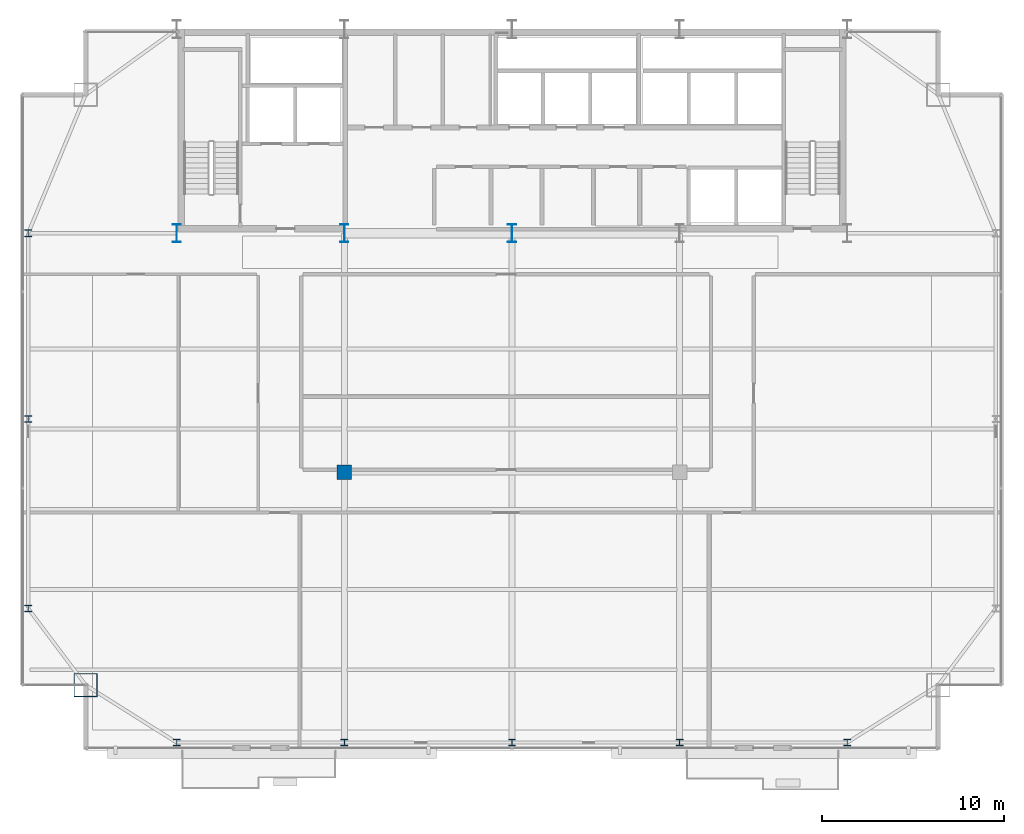
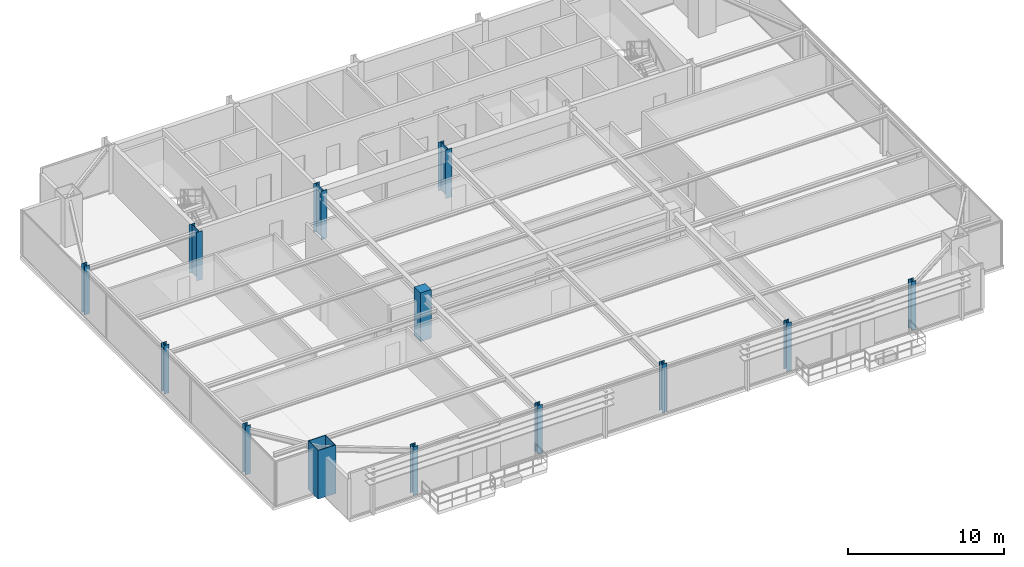
# One storey, part 1 of 31: 13 columns.
"""IFC4 building model written with IfcOpenShell, lengths in metres."""

import ifcopenshell
import ifcopenshell.guid

model = None  # the IFC model being written
_history = None  # IfcOwnerHistory: only IFC2X3 demands one
_inside = {}  # id of a spatial element -> (the spatial element, [elements in it])
_under = {}  # id of a project, library or spatial element -> (it, [spatial elements below it])
_declared = {}  # id of a project -> (the project, [libraries it declares])
_typed = {}  # id of a type object -> (the type object, [elements of that type])
_made_of = {}  # id of a material, layer set ... -> (it, [elements and type objects made of it])


def new_model(schema):
    """Start an empty IFC model of exactly this schema.

    Asked for "IFC4X3", IfcOpenShell would pick the latest addendum, in which some entities
    have other attributes; the version numbers below select the first issue.
    IFC2X3 requires an IfcOwnerHistory on every rooted entity: one is made here for all.
    """
    global model, _history
    if schema == "IFC4X3":
        model = ifcopenshell.file(schema_version=(4, 3, 0, 0))
    else:
        model = ifcopenshell.file(schema=schema)
    _inside.clear()
    _under.clear()
    _declared.clear()
    _typed.clear()
    _made_of.clear()
    _history = None
    if model.schema == "IFC2X3":
        org = make("IfcOrganization", Name="unknown")
        user = make(
            "IfcPersonAndOrganization",
            ThePerson=make("IfcPerson", FamilyName="unknown"),
            TheOrganization=org,
        )
        app = make(
            "IfcApplication",
            ApplicationDeveloper=org,
            Version="unknown",
            ApplicationFullName="unknown",
            ApplicationIdentifier="unknown",
        )
        _history = make(
            "IfcOwnerHistory",
            OwningUser=user,
            OwningApplication=app,
            ChangeAction="ADDED",
            CreationDate=0,
        )
    return model


def make(cls, **values):
    """One entity of the class cls with the attributes given. An attribute that is None is left unset."""
    return model.create_entity(
        cls, **{name: value for name, value in values.items() if value is not None}
    )


def rooted(cls, **values):
    """An entity with a GlobalId (a new one), such as an element, a storey or a relation."""
    return make(cls, GlobalId=ifcopenshell.guid.new(), OwnerHistory=_history, **values)


def si_unit(unit_type, name, prefix=None):
    """IfcSIUnit, for example si_unit("LENGTHUNIT", "METRE", prefix="MILLI")."""
    return make("IfcSIUnit", UnitType=unit_type, Prefix=prefix, Name=name)


def assignment(units):
    """IfcUnitAssignment: the units of a project."""
    return None if units is None else make("IfcUnitAssignment", Units=units)


def point(xyz):
    """IfcCartesianPoint."""
    return None if xyz is None else make("IfcCartesianPoint", Coordinates=xyz)


def direction(xyz):
    """IfcDirection."""
    return None if xyz is None else make("IfcDirection", DirectionRatios=xyz)


def frame(location, z_axis=None, x_axis=None):
    """IfcAxis2Placement3D, a coordinate frame: its origin and axes. An axis left out is left unset."""
    return make(
        "IfcAxis2Placement3D",
        Location=point(location),
        Axis=direction(z_axis),
        RefDirection=direction(x_axis),
    )


def frame_2d(location, x_axis=None):
    """IfcAxis2Placement2D, a coordinate frame in the plane: its origin and x axis."""
    return make(
        "IfcAxis2Placement2D", Location=point(location), RefDirection=direction(x_axis)
    )


def origin():
    """The frame at (0, 0, 0) with its axes left unset."""
    return frame((0.0, 0.0, 0.0))


def origin_2d():
    """The frame at (0, 0) in the plane with its x axis left unset."""
    return frame_2d((0.0, 0.0))


def place(relative_to, where):
    """IfcLocalPlacement: puts the frame where relative to a parent placement (None: the world)."""
    return make(
        "IfcLocalPlacement", PlacementRelTo=relative_to, RelativePlacement=where
    )


def context(
    kind, dimensions, precision=None, world=None, true_north=None, identifier=None
):
    """IfcGeometricRepresentationContext, for example the 3D "Model" context."""
    return make(
        "IfcGeometricRepresentationContext",
        ContextIdentifier=identifier,
        ContextType=kind,
        CoordinateSpaceDimension=dimensions,
        Precision=precision,
        WorldCoordinateSystem=world,
        TrueNorth=true_north,
    )


def subcontext(parent, identifier, kind, view, scale=None):
    """IfcGeometricRepresentationSubContext, for example "Body" below "Model"."""
    return make(
        "IfcGeometricRepresentationSubContext",
        ContextIdentifier=identifier,
        ContextType=kind,
        ParentContext=parent,
        TargetScale=scale,
        TargetView=view,
    )


def project(units=None, contexts=None):
    """IfcProject with its units and contexts."""
    return rooted(
        "IfcProject",
        Name="project",
        RepresentationContexts=contexts,
        UnitsInContext=assignment(units),
    )


def spatial(cls, under=None, at=None, **own):
    """A site, building, storey or space (cls), placed at a placement, below another one or the project."""
    s = rooted(cls, ObjectPlacement=at, **own)
    if under is not None:
        _under.setdefault(under.id(), (under, []))[1].append(s)
    return s


def profile(cls, at=None, kind="AREA", **sizes):
    """A parametric profile (cls). Its sizes go by their IFC names, for example OverallWidth=200.0."""
    return make(cls, ProfileType=kind, Position=at, **sizes)


def rectangle(**sizes):
    """IfcRectangleProfileDef."""
    return profile("IfcRectangleProfileDef", **sizes)


def hollow_rectangle(**sizes):
    """IfcRectangleHollowProfileDef."""
    return profile("IfcRectangleHollowProfileDef", **sizes)


def i_section(**sizes):
    """IfcIShapeProfileDef."""
    return profile("IfcIShapeProfileDef", **sizes)


def extrude(swept, where, along, depth):
    """IfcExtrudedAreaSolid: the profile swept, set in the frame where, extruded along a direction by depth."""
    return make(
        "IfcExtrudedAreaSolid",
        SweptArea=swept,
        Position=where,
        ExtrudedDirection=direction(along),
        Depth=depth,
    )


def shape(context_of_items, identifier, shape_type, items):
    """IfcShapeRepresentation: the items that make up one representation, for example the "Body"."""
    return make(
        "IfcShapeRepresentation",
        ContextOfItems=context_of_items,
        RepresentationIdentifier=identifier,
        RepresentationType=shape_type,
        Items=items,
    )


def source(mapping_origin, context_of_items, identifier, shape_type, items):
    """IfcRepresentationMap: a shape defined once, which mapped items show again and again."""
    return make(
        "IfcRepresentationMap",
        MappingOrigin=mapping_origin,
        MappedRepresentation=shape(context_of_items, identifier, shape_type, items),
    )


def transform(
    local_origin,
    x_axis=None,
    y_axis=None,
    z_axis=None,
    scale=None,
    scale2=None,
    scale3=None,
    uniform=True,
):
    """IfcCartesianTransformationOperator3D, or its non-uniform kind. x_axis, y_axis, z_axis: its Axis1, 2, 3."""
    if uniform:
        return make(
            "IfcCartesianTransformationOperator3D",
            Axis1=direction(x_axis),
            Axis2=direction(y_axis),
            LocalOrigin=point(local_origin),
            Scale=scale,
            Axis3=direction(z_axis),
        )
    return make(
        "IfcCartesianTransformationOperator3DnonUniform",
        Axis1=direction(x_axis),
        Axis2=direction(y_axis),
        LocalOrigin=point(local_origin),
        Scale=scale,
        Axis3=direction(z_axis),
        Scale2=scale2,
        Scale3=scale3,
    )


def mapped(mapping_source, mapping_target):
    """IfcMappedItem: shows the shape of a source again, moved by a transform."""
    return make(
        "IfcMappedItem", MappingSource=mapping_source, MappingTarget=mapping_target
    )


def material(Name=None, Category=None):
    """IfcMaterial."""
    return make("IfcMaterial", Name=Name, Category=Category)


def material_profile(
    of_material, cross_section, Name=None, Category=None, Priority=None
):
    """IfcMaterialProfile: a cross section and its material."""
    return make(
        "IfcMaterialProfile",
        Name=Name,
        Material=of_material,
        Profile=cross_section,
        Priority=Priority,
        Category=Category,
    )


def profile_set(profiles, Name=None, composite=None):
    """IfcMaterialProfileSet."""
    return make(
        "IfcMaterialProfileSet",
        Name=Name,
        MaterialProfiles=profiles,
        CompositeProfile=composite,
    )


def made_of(thing, what):
    """Note that an element or type object is made of a material, layer set ...; save() writes the relation."""
    if what is not None:
        _made_of.setdefault(what.id(), (what, []))[1].append(thing)
    return thing


def type_object(cls, material=None, **own):
    """A type object (cls), such as IfcWallType, which elements share."""
    return made_of(rooted(cls, **own), material)


def type_shapes(of_type, sources):
    """Give a type object the sources (RepresentationMaps) that its elements show as mapped items."""
    of_type.RepresentationMaps = sources


def element(
    cls,
    number,
    at=None,
    inside=None,
    cuts=None,
    type_object=None,
    material=None,
    context=None,
    identifier="Body",
    shape_type=None,
    held_by="IfcProductDefinitionShape",
    body=None,
    shapes=None,
    **own,
):
    """One element of the class cls, such as IfcWall. Its Tag is "e" and its number.

    at: its placement. inside: the storey or other place that contains it. cuts: it is an
    opening in that element (IfcRelVoidsElement). A single representation is given by context,
    identifier, shape_type and body (its items); several are given by shapes. held_by: the class
    of the entity that holds the representations. save() writes the other relations.
    """
    e = rooted(cls, Tag="e%d" % number, ObjectPlacement=at, **own)
    if body is not None:
        shapes = [shape(context, identifier, shape_type, body)]
    if shapes is not None:
        e.Representation = make(held_by, Representations=shapes)
    if inside is not None:
        _inside.setdefault(inside.id(), (inside, []))[1].append(e)
    if cuts is not None:
        rooted(
            "IfcRelVoidsElement", RelatingBuildingElement=cuts, RelatedOpeningElement=e
        )
    if type_object is not None:
        _typed.setdefault(type_object.id(), (type_object, []))[1].append(e)
    return made_of(e, material)


def aggregate(whole, parts):
    """IfcRelAggregates: a whole, such as a stair, and the parts it consists of."""
    return rooted("IfcRelAggregates", RelatingObject=whole, RelatedObjects=parts)


def save(model, path):
    """Write the relations noted so far, then the file.

    IfcRelAggregates (storeys below a building ...), IfcRelContainedInSpatialStructure (elements
    in a storey), IfcRelDefinesByType, IfcRelAssociatesMaterial and IfcRelDeclares: one each for
    every whole, place, type object, material and project.
    """
    for whole, parts in _under.values():
        aggregate(whole, parts)
    for where, things in _inside.values():
        rooted(
            "IfcRelContainedInSpatialStructure",
            RelatedElements=things,
            RelatingStructure=where,
        )
    for kind, things in _typed.values():
        rooted("IfcRelDefinesByType", RelatedObjects=things, RelatingType=kind)
    for what, things in _made_of.values():
        rooted("IfcRelAssociatesMaterial", RelatedObjects=things, RelatingMaterial=what)
    for by, libraries in _declared.values():
        rooted("IfcRelDeclares", RelatingContext=by, RelatedDefinitions=libraries)
    model.write(path)


model = new_model("IFC4")

# Units and contexts
model_context = context("Model", 3, precision=1e-05, world=origin(), true_north=direction((0.0, 1.0)))
body_context = subcontext(model_context, "Body", "Model", "MODEL_VIEW")
ifc_project = project(units=[si_unit("LENGTHUNIT", "METRE"), si_unit("AREAUNIT", "SQUARE_METRE"), si_unit("VOLUMEUNIT", "CUBIC_METRE"), si_unit("PLANEANGLEUNIT", "RADIAN"), si_unit("MASSUNIT", "GRAM", prefix="KILO")], contexts=[model_context])

# Site, building, storey
site_placement = place(None, origin())
site = spatial("IfcSite", under=ifc_project, at=site_placement, CompositionType="ELEMENT")
building_placement = place(site_placement, origin())
building = spatial("IfcBuilding", under=site, at=building_placement, Name="Varnel Quay Broadcast Tower", CompositionType="ELEMENT")
storey_placement = place(building_placement, frame((0.0, 0.0, 153.39990234375)))
storey = spatial("IfcBuildingStorey", under=building, at=storey_placement, Name="L37", CompositionType="ELEMENT", Elevation=153.39990234375)

# Columns
ifc_material_1 = material(Name="Structural Steel CSA G40.21 350WT", Category="steel")
ifc_material_profile_1 = material_profile(ifc_material_1, i_section(OverallWidth=0.449951171875, OverallDepth=1.0, WebThickness=0.01611328125, FlangeThickness=0.030029296875, FilletRadius=0.01611328125, at=origin_2d()), Name="WWF1000X362")
ifc_profile_set_1 = profile_set([ifc_material_profile_1], Name="Structural Steel CSA G40.21 350WT")
column_type_1 = type_object("IfcColumnType", Name="Col_WWF1000X362", PredefinedType="COLUMN", material=ifc_profile_set_1)
shared_shape_1 = source(origin(), body_context, "Body", "SweptSolid", [
    extrude(i_section(OverallWidth=0.449951171875, OverallDepth=1.0, WebThickness=0.01611328125, FlangeThickness=0.030029296875, FilletRadius=0.01611328125, at=origin_2d()), origin(), (0.0, 0.0, 1.0), 3.800048828125),
])
type_shapes(column_type_1, [shared_shape_1])
for number, where, z_axis, x_axis, name in (
    (1, (15.60009765625, 35.60009765625, 0.0), (0.0, 0.0, 1.0), (1.0, 0.0, 0.0), "L37 Column CC-S1"),
    (2, (24.800048828125, 35.60009765625, 0.0), (0.0, 0.0, 1.0), (1.0, 0.0, 0.0), "L37 Column CC-S2"),
    (3, (34.0, 35.60009765625, 0.0), (0.0, 0.0, 1.0), (1.0, 0.0, 0.0), "L37 Column CC-S3"),
):
    element("IfcColumn", number, at=place(storey_placement, frame(where, z_axis=z_axis, x_axis=x_axis)), inside=storey, type_object=column_type_1, Name=name, PredefinedType="COLUMN", context=body_context, shape_type="MappedRepresentation", body=[
        mapped(shared_shape_1, transform((0.0, 0.0, 0.0), x_axis=(1.0, 0.0, 0.0), y_axis=(0.0, 1.0, 0.0), z_axis=(0.0, 0.0, 1.0), scale=1.0)),
    ])
ifc_material_profile_2 = material_profile(ifc_material_1, hollow_rectangle(XDim=1.300048828125, YDim=1.300048828125, WallThickness=0.050048828125, at=origin_2d()), Name="BOX1300X1300X50")
ifc_profile_set_2 = profile_set([ifc_material_profile_2], Name="Structural Steel CSA G40.21 350WT")
column_type_2 = type_object("IfcColumnType", Name="Col_BOX1300X1300X50", PredefinedType="COLUMN", material=ifc_profile_set_2)
shared_shape_2 = source(origin(), body_context, "Body", "SweptSolid", [
    extrude(hollow_rectangle(XDim=1.300048828125, YDim=1.300048828125, WallThickness=0.050048828125, at=origin_2d()), origin(), (0.0, 0.0, 1.0), 3.800048828125),
])
type_shapes(column_type_2, [shared_shape_2])
column_1_placement = place(storey_placement, frame((10.60009765625, 10.800048828125, 0.0), z_axis=(0.0, 0.0, 1.0), x_axis=(1.0, 0.0, 0.0)))
element("IfcColumn", 4, at=column_1_placement, inside=storey, type_object=column_type_2, Name="L37 Column MC-SW", PredefinedType="COLUMN", context=body_context, shape_type="MappedRepresentation", body=[
    mapped(shared_shape_2, transform((0.0, 0.0, 0.0), x_axis=(1.0, 0.0, 0.0), y_axis=(0.0, 1.0, 0.0), z_axis=(0.0, 0.0, 1.0), scale=1.0)),
])
ifc_material_2 = material(Name="Structural Steel CSA G40.21 350W", Category="steel")
ifc_material_profile_3 = material_profile(ifc_material_2, i_section(OverallWidth=0.3740234375, OverallDepth=0.3720703125, WebThickness=0.016357421875, FlangeThickness=0.026123046875, FilletRadius=0.01611328125, at=origin_2d()), Name="W360X196")
ifc_profile_set_3 = profile_set([ifc_material_profile_3], Name="Structural Steel CSA G40.21 350W")
column_type_3 = type_object("IfcColumnType", Name="Col_W360X196", PredefinedType="COLUMN", material=ifc_profile_set_3)
shared_shape_3 = source(origin(), body_context, "Body", "SweptSolid", [
    extrude(i_section(OverallWidth=0.3740234375, OverallDepth=0.3720703125, WebThickness=0.016357421875, FlangeThickness=0.026123046875, FilletRadius=0.01611328125, at=origin_2d()), origin(), (0.0, 0.0, 1.0), 3.800048828125),
])
type_shapes(column_type_3, [shared_shape_3])
for number, where, z_axis, x_axis, name in (
    (5, (15.60009765625, 7.64990234375, 0.0), (0.0, 0.0, 1.0), (1.0, 0.0, 0.0), "L37 Column TC-S1"),
    (6, (24.800048828125, 7.64990234375, 0.0), (0.0, 0.0, 1.0), (1.0, 0.0, 0.0), "L37 Column TC-S2"),
    (7, (34.0, 7.64990234375, 0.0), (0.0, 0.0, 1.0), (1.0, 0.0, 0.0), "L37 Column TC-S3"),
    (8, (43.199951171875, 7.64990234375, 0.0), (0.0, 0.0, 1.0), (1.0, 0.0, 0.0), "L37 Column TC-S4"),
    (9, (52.39990234375, 7.64990234375, 0.0), (0.0, 0.0, 1.0), (1.0, 0.0, 0.0), "L37 Column TC-S5"),
    (10, (7.449951171875, 15.0, 0.0), (0.0, 0.0, 1.0), (1.0, 0.0, 0.0), "L37 Column TC-W1"),
    (11, (7.449951171875, 25.39990234375, 0.0), (0.0, 0.0, 1.0), (1.0, 0.0, 0.0), "L37 Column TC-W2"),
    (12, (7.449951171875, 35.60009765625, 0.0), (0.0, 0.0, 1.0), (1.0, 0.0, 0.0), "L37 Column TC-W3"),
):
    element("IfcColumn", number, at=place(storey_placement, frame(where, z_axis=z_axis, x_axis=x_axis)), inside=storey, type_object=column_type_3, Name=name, PredefinedType="COLUMN", context=body_context, shape_type="MappedRepresentation", body=[
        mapped(shared_shape_3, transform((0.0, 0.0, 0.0), x_axis=(1.0, 0.0, 0.0), y_axis=(0.0, 1.0, 0.0), z_axis=(0.0, 0.0, 1.0), scale=1.0)),
    ])
ifc_material_3 = material(Name="Concrete CSA A23.3 C50/60", Category="concrete")
ifc_material_profile_4 = material_profile(ifc_material_3, rectangle(XDim=0.800048828125, YDim=0.800048828125, at=origin_2d()), Name="RC800X800")
ifc_profile_set_4 = profile_set([ifc_material_profile_4], Name="Concrete CSA A23.3 C50/60")
column_type_4 = type_object("IfcColumnType", Name="Col_RC800X800", PredefinedType="COLUMN", material=ifc_profile_set_4)
shared_shape_4 = source(origin(), body_context, "Body", "SweptSolid", [
    extrude(rectangle(XDim=0.800048828125, YDim=0.800048828125, at=origin_2d()), origin(), (0.0, 0.0, 1.0), 3.800048828125),
])
type_shapes(column_type_4, [shared_shape_4])
column_2_placement = place(storey_placement, frame((24.800048828125, 22.489990234375, 0.0), z_axis=(0.0, 0.0, 1.0), x_axis=(1.0, 0.0, 0.0)))
element("IfcColumn", 13, at=column_2_placement, inside=storey, type_object=column_type_4, Name="L37 Column IC-01", PredefinedType="COLUMN", context=body_context, shape_type="MappedRepresentation", body=[
    mapped(shared_shape_4, transform((0.0, 0.0, 0.0), x_axis=(1.0, 0.0, 0.0), y_axis=(0.0, 1.0, 0.0), z_axis=(0.0, 0.0, 1.0), scale=1.0)),
])

save(model, "model.ifc")
